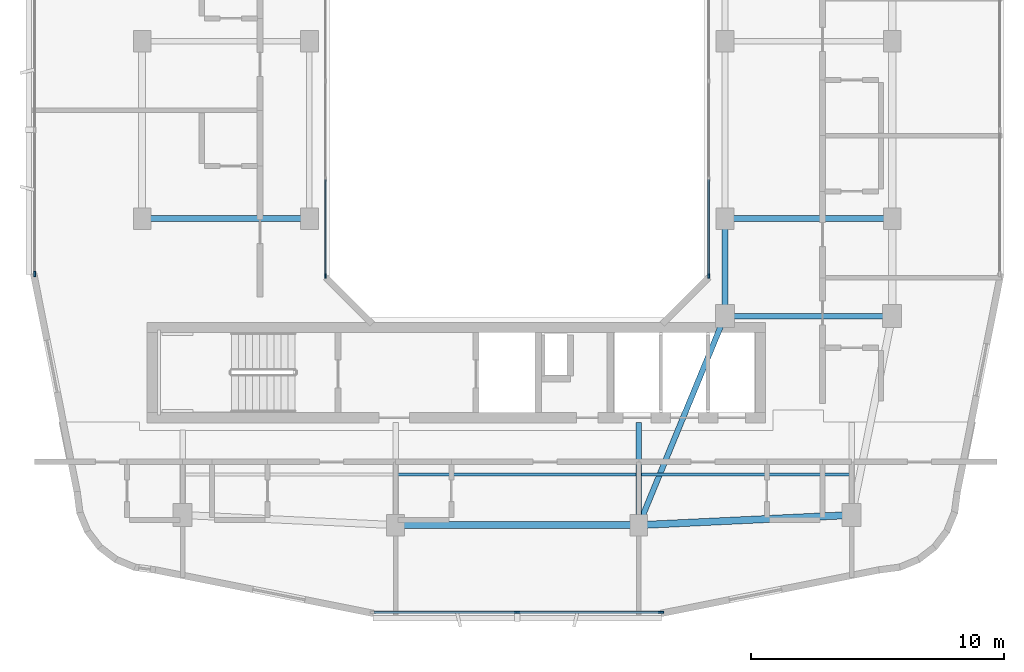
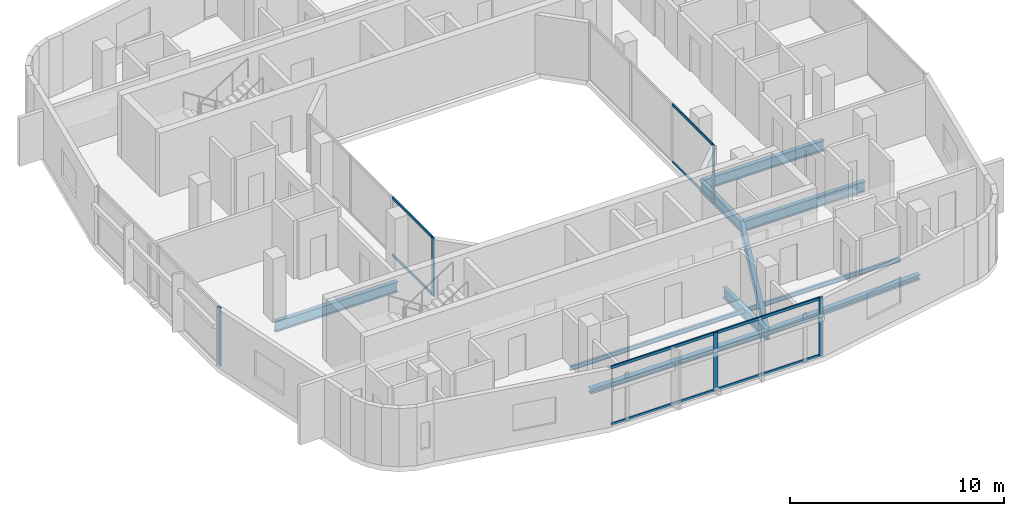
# One storey, part 2 of 14: 13 members, 10 beams, 4 elements without a shape of their own.
"""IFC4 building model written with IfcOpenShell, lengths in metres."""

import ifcopenshell
import ifcopenshell.guid

model = None  # the IFC model being written
_history = None  # IfcOwnerHistory: only IFC2X3 demands one
_inside = {}  # id of a spatial element -> (the spatial element, [elements in it])
_under = {}  # id of a project, library or spatial element -> (it, [spatial elements below it])
_declared = {}  # id of a project -> (the project, [libraries it declares])
_typed = {}  # id of a type object -> (the type object, [elements of that type])
_made_of = {}  # id of a material, layer set ... -> (it, [elements and type objects made of it])


def new_model(schema):
    """Start an empty IFC model of exactly this schema.

    Asked for "IFC4X3", IfcOpenShell would pick the latest addendum, in which some entities
    have other attributes; the version numbers below select the first issue.
    IFC2X3 requires an IfcOwnerHistory on every rooted entity: one is made here for all.
    """
    global model, _history
    if schema == "IFC4X3":
        model = ifcopenshell.file(schema_version=(4, 3, 0, 0))
    else:
        model = ifcopenshell.file(schema=schema)
    _inside.clear()
    _under.clear()
    _declared.clear()
    _typed.clear()
    _made_of.clear()
    _history = None
    if model.schema == "IFC2X3":
        org = make("IfcOrganization", Name="unknown")
        user = make(
            "IfcPersonAndOrganization",
            ThePerson=make("IfcPerson", FamilyName="unknown"),
            TheOrganization=org,
        )
        app = make(
            "IfcApplication",
            ApplicationDeveloper=org,
            Version="unknown",
            ApplicationFullName="unknown",
            ApplicationIdentifier="unknown",
        )
        _history = make(
            "IfcOwnerHistory",
            OwningUser=user,
            OwningApplication=app,
            ChangeAction="ADDED",
            CreationDate=0,
        )
    return model


def make(cls, **values):
    """One entity of the class cls with the attributes given. An attribute that is None is left unset."""
    return model.create_entity(
        cls, **{name: value for name, value in values.items() if value is not None}
    )


def rooted(cls, **values):
    """An entity with a GlobalId (a new one), such as an element, a storey or a relation."""
    return make(cls, GlobalId=ifcopenshell.guid.new(), OwnerHistory=_history, **values)


def si_unit(unit_type, name, prefix=None):
    """IfcSIUnit, for example si_unit("LENGTHUNIT", "METRE", prefix="MILLI")."""
    return make("IfcSIUnit", UnitType=unit_type, Prefix=prefix, Name=name)


def derived_unit(unit_type, elements):
    """IfcDerivedUnit: a product of units, each with its exponent."""
    return make(
        "IfcDerivedUnit",
        Elements=[
            make("IfcDerivedUnitElement", Unit=unit, Exponent=power)
            for unit, power in elements
        ],
        UnitType=unit_type,
    )


def assignment(units):
    """IfcUnitAssignment: the units of a project."""
    return None if units is None else make("IfcUnitAssignment", Units=units)


def point(xyz):
    """IfcCartesianPoint."""
    return None if xyz is None else make("IfcCartesianPoint", Coordinates=xyz)


def direction(xyz):
    """IfcDirection."""
    return None if xyz is None else make("IfcDirection", DirectionRatios=xyz)


def frame(location, z_axis=None, x_axis=None):
    """IfcAxis2Placement3D, a coordinate frame: its origin and axes. An axis left out is left unset."""
    return make(
        "IfcAxis2Placement3D",
        Location=point(location),
        Axis=direction(z_axis),
        RefDirection=direction(x_axis),
    )


def frame_2d(location, x_axis=None):
    """IfcAxis2Placement2D, a coordinate frame in the plane: its origin and x axis."""
    return make(
        "IfcAxis2Placement2D", Location=point(location), RefDirection=direction(x_axis)
    )


def origin():
    """The frame at (0, 0, 0) with its axes left unset."""
    return frame((0.0, 0.0, 0.0))


def origin_2d():
    """The frame at (0, 0) in the plane with its x axis left unset."""
    return frame_2d((0.0, 0.0))


def place(relative_to, where):
    """IfcLocalPlacement: puts the frame where relative to a parent placement (None: the world)."""
    return make(
        "IfcLocalPlacement", PlacementRelTo=relative_to, RelativePlacement=where
    )


def context(
    kind, dimensions, precision=None, world=None, true_north=None, identifier=None
):
    """IfcGeometricRepresentationContext, for example the 3D "Model" context."""
    return make(
        "IfcGeometricRepresentationContext",
        ContextIdentifier=identifier,
        ContextType=kind,
        CoordinateSpaceDimension=dimensions,
        Precision=precision,
        WorldCoordinateSystem=world,
        TrueNorth=true_north,
    )


def subcontext(parent, identifier, kind, view, scale=None):
    """IfcGeometricRepresentationSubContext, for example "Body" below "Model"."""
    return make(
        "IfcGeometricRepresentationSubContext",
        ContextIdentifier=identifier,
        ContextType=kind,
        ParentContext=parent,
        TargetScale=scale,
        TargetView=view,
    )


def project(units=None, contexts=None):
    """IfcProject with its units and contexts."""
    return rooted(
        "IfcProject",
        Name="project",
        RepresentationContexts=contexts,
        UnitsInContext=assignment(units),
    )


def spatial(cls, under=None, at=None, **own):
    """A site, building, storey or space (cls), placed at a placement, below another one or the project."""
    s = rooted(cls, ObjectPlacement=at, **own)
    if under is not None:
        _under.setdefault(under.id(), (under, []))[1].append(s)
    return s


def profile(cls, at=None, kind="AREA", **sizes):
    """A parametric profile (cls). Its sizes go by their IFC names, for example OverallWidth=200.0."""
    return make(cls, ProfileType=kind, Position=at, **sizes)


def rectangle(**sizes):
    """IfcRectangleProfileDef."""
    return profile("IfcRectangleProfileDef", **sizes)


def i_section(**sizes):
    """IfcIShapeProfileDef."""
    return profile("IfcIShapeProfileDef", **sizes)


def extrude(swept, where, along, depth):
    """IfcExtrudedAreaSolid: the profile swept, set in the frame where, extruded along a direction by depth."""
    return make(
        "IfcExtrudedAreaSolid",
        SweptArea=swept,
        Position=where,
        ExtrudedDirection=direction(along),
        Depth=depth,
    )


def shape(context_of_items, identifier, shape_type, items):
    """IfcShapeRepresentation: the items that make up one representation, for example the "Body"."""
    return make(
        "IfcShapeRepresentation",
        ContextOfItems=context_of_items,
        RepresentationIdentifier=identifier,
        RepresentationType=shape_type,
        Items=items,
    )


def material(Name=None, Category=None):
    """IfcMaterial."""
    return make("IfcMaterial", Name=Name, Category=Category)


def layer(
    of_material, thickness, ventilated=None, Name=None, Category=None, Priority=None
):
    """IfcMaterialLayer: one layer of a wall or slab, of a material (None: an air gap)."""
    return make(
        "IfcMaterialLayer",
        Material=of_material,
        LayerThickness=thickness,
        IsVentilated=ventilated,
        Name=Name,
        Category=Category,
        Priority=Priority,
    )


def layer_set(layers, Name=None):
    """IfcMaterialLayerSet."""
    return make("IfcMaterialLayerSet", MaterialLayers=layers, LayerSetName=Name)


def material_profile(
    of_material, cross_section, Name=None, Category=None, Priority=None
):
    """IfcMaterialProfile: a cross section and its material."""
    return make(
        "IfcMaterialProfile",
        Name=Name,
        Material=of_material,
        Profile=cross_section,
        Priority=Priority,
        Category=Category,
    )


def profile_set(profiles, Name=None, composite=None):
    """IfcMaterialProfileSet."""
    return make(
        "IfcMaterialProfileSet",
        Name=Name,
        MaterialProfiles=profiles,
        CompositeProfile=composite,
    )


def made_of(thing, what):
    """Note that an element or type object is made of a material, layer set ...; save() writes the relation."""
    if what is not None:
        _made_of.setdefault(what.id(), (what, []))[1].append(thing)
    return thing


def type_object(cls, material=None, **own):
    """A type object (cls), such as IfcWallType, which elements share."""
    return made_of(rooted(cls, **own), material)


def element(
    cls,
    number,
    at=None,
    inside=None,
    cuts=None,
    type_object=None,
    material=None,
    context=None,
    identifier="Body",
    shape_type=None,
    held_by="IfcProductDefinitionShape",
    body=None,
    shapes=None,
    **own,
):
    """One element of the class cls, such as IfcWall. Its Tag is "e" and its number.

    at: its placement. inside: the storey or other place that contains it. cuts: it is an
    opening in that element (IfcRelVoidsElement). A single representation is given by context,
    identifier, shape_type and body (its items); several are given by shapes. held_by: the class
    of the entity that holds the representations. save() writes the other relations.
    """
    e = rooted(cls, Tag="e%d" % number, ObjectPlacement=at, **own)
    if body is not None:
        shapes = [shape(context, identifier, shape_type, body)]
    if shapes is not None:
        e.Representation = make(held_by, Representations=shapes)
    if inside is not None:
        _inside.setdefault(inside.id(), (inside, []))[1].append(e)
    if cuts is not None:
        rooted(
            "IfcRelVoidsElement", RelatingBuildingElement=cuts, RelatedOpeningElement=e
        )
    if type_object is not None:
        _typed.setdefault(type_object.id(), (type_object, []))[1].append(e)
    return made_of(e, material)


def aggregate(whole, parts):
    """IfcRelAggregates: a whole, such as a stair, and the parts it consists of."""
    return rooted("IfcRelAggregates", RelatingObject=whole, RelatedObjects=parts)


def save(model, path):
    """Write the relations noted so far, then the file.

    IfcRelAggregates (storeys below a building ...), IfcRelContainedInSpatialStructure (elements
    in a storey), IfcRelDefinesByType, IfcRelAssociatesMaterial and IfcRelDeclares: one each for
    every whole, place, type object, material and project.
    """
    for whole, parts in _under.values():
        aggregate(whole, parts)
    for where, things in _inside.values():
        rooted(
            "IfcRelContainedInSpatialStructure",
            RelatedElements=things,
            RelatingStructure=where,
        )
    for kind, things in _typed.values():
        rooted("IfcRelDefinesByType", RelatedObjects=things, RelatingType=kind)
    for what, things in _made_of.values():
        rooted("IfcRelAssociatesMaterial", RelatedObjects=things, RelatingMaterial=what)
    for by, libraries in _declared.values():
        rooted("IfcRelDeclares", RelatingContext=by, RelatedDefinitions=libraries)
    model.write(path)


model = new_model("IFC4")

# Units and contexts
model_context = context("Model", 3, precision=1e-05, world=origin(), true_north=direction((0.0, 1.0)))
body_context = subcontext(model_context, "Body", "Model", "MODEL_VIEW")
ifc_project = project(units=[si_unit("LENGTHUNIT", "METRE"), si_unit("AREAUNIT", "SQUARE_METRE"), si_unit("VOLUMEUNIT", "CUBIC_METRE"), si_unit("PLANEANGLEUNIT", "RADIAN"), si_unit("MASSUNIT", "GRAM", prefix="KILO"), derived_unit("THERMALTRANSMITTANCEUNIT", [(si_unit("POWERUNIT", "WATT"), 1), (si_unit("LENGTHUNIT", "METRE"), -2), (si_unit("THERMODYNAMICTEMPERATUREUNIT", "KELVIN"), -1)])], contexts=[model_context])

# Site, building, storey
site_placement = place(None, origin())
site = spatial("IfcSite", under=ifc_project, at=site_placement, CompositionType="ELEMENT")
building_placement = place(site_placement, origin())
building = spatial("IfcBuilding", under=site, at=building_placement, Name="Kivonza Crest Hotel", CompositionType="ELEMENT")
storey_placement = place(building_placement, frame((0.0, 0.0, 227.89990234375)))
storey = spatial("IfcBuildingStorey", under=building, at=storey_placement, Name="L62", CompositionType="ELEMENT", Elevation=227.89990234375)

# Beams
ifc_material_1 = material(Name="Steel S355", Category="steel")
ifc_material_profile_1 = material_profile(ifc_material_1, i_section(OverallWidth=0.280029296875, OverallDepth=0.280029296875, WebThickness=0.010498046875, FlangeThickness=0.01806640625, FilletRadius=0.02392578125, at=origin_2d()), Name="HEB 280")
ifc_profile_set_1 = profile_set([ifc_material_profile_1], Name="Steel S355")
beam_type_1 = type_object("IfcBeamType", Name="BM-HEB280", PredefinedType="SPANDREL", material=ifc_profile_set_1)
beam_1_placement = place(storey_placement, frame((16.199951171875, 9.39990234375, -0.419921875), z_axis=(1.0, 0.0, 0.0), x_axis=(0.0, 1.0, 0.0)))
element("IfcBeam", 1, at=beam_1_placement, inside=storey, type_object=beam_type_1, Name="Tower T1 L62 perimeter spandrel S1-S2", PredefinedType="SPANDREL", context=body_context, shape_type="SweptSolid", body=[
    extrude(i_section(OverallWidth=0.280029296875, OverallDepth=0.280029296875, WebThickness=0.010498046875, FlangeThickness=0.01806640625, FilletRadius=0.02392578125, at=origin_2d()), origin(), (0.0, 0.0, 1.0), 9.60009765625),
])
beam_2_placement = place(storey_placement, frame((25.800048828125, 9.39990234375, -0.419921875), z_axis=(0.998867283688, 0.047583080799, 0.0), x_axis=(-0.047583080799, 0.998867283688, 0.0)))
element("IfcBeam", 2, at=beam_2_placement, inside=storey, type_object=beam_type_1, Name="Tower T1 L62 perimeter spandrel S2-SE", PredefinedType="SPANDREL", context=body_context, shape_type="SweptSolid", body=[
    extrude(i_section(OverallWidth=0.280029296875, OverallDepth=0.280029296875, WebThickness=0.010498046875, FlangeThickness=0.01806640625, FilletRadius=0.02392578125, at=origin_2d()), origin(), (0.0, 0.0, 1.0), 8.409423828125),
])
ifc_material_profile_2 = material_profile(ifc_material_1, i_section(OverallWidth=0.1201171875, OverallDepth=0.239990234375, WebThickness=0.006103515625, FlangeThickness=0.009765625, FilletRadius=0.014892578125, at=origin_2d()), Name="IPE 240")
ifc_profile_set_2 = profile_set([ifc_material_profile_2], Name="Steel S355")
beam_type_2 = type_object("IfcBeamType", Name="BM-IPE240", PredefinedType="JOIST", material=ifc_profile_set_2)
beam_3_placement = place(storey_placement, frame((16.280029296875, 11.39990234375, -0.39990234375), z_axis=(1.0, 0.0, 0.0), x_axis=(0.0, 1.0, 0.0)))
element("IfcBeam", 3, at=beam_3_placement, inside=storey, type_object=beam_type_2, Name="Tower T1 L62 South-Mid floor joist", PredefinedType="JOIST", context=body_context, shape_type="SweptSolid", body=[
    extrude(i_section(OverallWidth=0.1201171875, OverallDepth=0.239990234375, WebThickness=0.006103515625, FlangeThickness=0.009765625, FilletRadius=0.014892578125, at=origin_2d()), origin(), (0.0, 0.0, 1.0), 9.43994140625),
])
beam_4_placement = place(storey_placement, frame((25.8798828125, 11.39990234375, -0.39990234375), z_axis=(1.0, 0.0, 0.0), x_axis=(0.0, 1.0, 0.0)))
element("IfcBeam", 4, at=beam_4_placement, inside=storey, type_object=beam_type_2, Name="Tower T1 L62 South-East floor joist", PredefinedType="JOIST", context=body_context, shape_type="SweptSolid", body=[
    extrude(i_section(OverallWidth=0.1201171875, OverallDepth=0.239990234375, WebThickness=0.006103515625, FlangeThickness=0.009765625, FilletRadius=0.014892578125, at=origin_2d()), origin(), (0.0, 0.0, 1.0), 8.240234375),
])
ifc_material_profile_3 = material_profile(ifc_material_1, i_section(OverallWidth=0.219970703125, OverallDepth=0.60009765625, WebThickness=0.011962890625, FlangeThickness=0.01904296875, FilletRadius=0.02392578125, at=origin_2d()), Name="IPE 600")
ifc_profile_set_3 = profile_set([ifc_material_profile_3], Name="Steel S355")
beam_type_3 = type_object("IfcBeamType", Name="BM-IPE600", PredefinedType="BEAM", material=ifc_profile_set_3)
beam_5_placement = place(storey_placement, frame((6.199951171875, 21.5, -0.579833984375), z_axis=(1.0, 0.0, 0.0), x_axis=(0.0, 1.0, 0.0)))
element("IfcBeam", 5, at=beam_5_placement, inside=storey, type_object=beam_type_3, Name="Tower T1 L62 primary girder W1-WL1", PredefinedType="BEAM", context=body_context, shape_type="SweptSolid", body=[
    extrude(i_section(OverallWidth=0.219970703125, OverallDepth=0.60009765625, WebThickness=0.011962890625, FlangeThickness=0.01904296875, FilletRadius=0.02392578125, at=origin_2d()), origin(), (0.0, 0.0, 1.0), 6.60009765625),
])
beam_6_placement = place(storey_placement, frame((25.800048828125, 9.39990234375, -0.579833984375), z_axis=(0.381022260404, 0.924565864109, 0.0), x_axis=(-0.924565864109, 0.381022260404, 0.0)))
element("IfcBeam", 6, at=beam_6_placement, inside=storey, type_object=beam_type_3, Name="Tower T1 L62 primary girder S1-TSE", PredefinedType="BEAM", context=body_context, shape_type="SweptSolid", body=[
    extrude(i_section(OverallWidth=0.219970703125, OverallDepth=0.60009765625, WebThickness=0.011962890625, FlangeThickness=0.01904296875, FilletRadius=0.02392578125, at=origin_2d()), origin(), (0.0, 0.0, 1.0), 8.923095703125),
])
beam_7_placement = place(storey_placement, frame((29.199951171875, 17.64990234375, -0.579833984375), z_axis=(1.0, 0.0, 0.0), x_axis=(0.0, 1.0, 0.0)))
element("IfcBeam", 7, at=beam_7_placement, inside=storey, type_object=beam_type_3, Name="Tower T1 L62 primary girder TSE-PSE", PredefinedType="BEAM", context=body_context, shape_type="SweptSolid", body=[
    extrude(i_section(OverallWidth=0.219970703125, OverallDepth=0.60009765625, WebThickness=0.011962890625, FlangeThickness=0.01904296875, FilletRadius=0.02392578125, at=origin_2d()), origin(), (0.0, 0.0, 1.0), 6.60009765625),
])
beam_8_placement = place(storey_placement, frame((29.199951171875, 17.64990234375, -0.579833984375), z_axis=(0.0, 1.0, 0.0), x_axis=(-1.0, 0.0, 0.0)))
element("IfcBeam", 8, at=beam_8_placement, inside=storey, type_object=beam_type_3, Name="Tower T1 L62 primary girder TSE-WR1", PredefinedType="BEAM", context=body_context, shape_type="SweptSolid", body=[
    extrude(i_section(OverallWidth=0.219970703125, OverallDepth=0.60009765625, WebThickness=0.011962890625, FlangeThickness=0.01904296875, FilletRadius=0.02392578125, at=origin_2d()), origin(), (0.0, 0.0, 1.0), 3.85009765625),
])
beam_9_placement = place(storey_placement, frame((29.199951171875, 21.5, -0.579833984375), z_axis=(1.0, 0.0, 0.0), x_axis=(0.0, 1.0, 0.0)))
element("IfcBeam", 9, at=beam_9_placement, inside=storey, type_object=beam_type_3, Name="Tower T1 L62 primary girder WR1-E1", PredefinedType="BEAM", context=body_context, shape_type="SweptSolid", body=[
    extrude(i_section(OverallWidth=0.219970703125, OverallDepth=0.60009765625, WebThickness=0.011962890625, FlangeThickness=0.01904296875, FilletRadius=0.02392578125, at=origin_2d()), origin(), (0.0, 0.0, 1.0), 6.60009765625),
])
beam_10_placement = place(storey_placement, frame((25.800048828125, 9.39990234375, -0.579833984375), z_axis=(0.0, 1.0, 0.0), x_axis=(-1.0, 0.0, 0.0)))
element("IfcBeam", 10, at=beam_10_placement, inside=storey, type_object=beam_type_3, Name="Tower T1 L62 radial core girder RS2", PredefinedType="BEAM", context=body_context, shape_type="SweptSolid", body=[
    extrude(i_section(OverallWidth=0.219970703125, OverallDepth=0.60009765625, WebThickness=0.011962890625, FlangeThickness=0.01904296875, FilletRadius=0.02392578125, at=origin_2d()), origin(), (0.0, 0.0, 1.0), 4.050048828125),
])

# Curtain wall, member
ifc_material_2 = material(Name="Anodised bronze aluminium and low-E double glazing", Category="aluminium")
ifc_layer_1 = layer(ifc_material_2, 0.159912109375)
ifc_layer_set_1 = layer_set([ifc_layer_1], Name="Anodised bronze aluminium and low-E double glazing")
curtain_wall_type_1 = type_object("IfcCurtainWallType", Name="CW-SYS-5", PredefinedType="NOTDEFINED", material=ifc_layer_set_1)
curtain_wall_1_placement = place(storey_placement, origin())
curtain_wall_1 = element("IfcCurtainWall", 11, at=curtain_wall_1_placement, inside=storey, type_object=curtain_wall_type_1, Name="L62 unitised curtain wall CW-WELL-T1-L62-3", PredefinedType="NOTDEFINED")
ifc_material_3 = material(Name="Anodised bronze aluminium", Category="aluminium")
ifc_material_profile_4 = material_profile(ifc_material_3, rectangle(XDim=0.06494140625, YDim=0.179931640625, at=origin_2d()), Name="CW-M 65x180")
ifc_profile_set_4 = profile_set([ifc_material_profile_4], Name="Anodised bronze aluminium")
member_type_1 = type_object("IfcMemberType", Name="CW-MUL-65x180", PredefinedType="MULLION", material=ifc_profile_set_4)
member_1_placement = place(storey_placement, frame((28.56005859375, 19.232421875, 0.0), z_axis=(0.0, 0.0, 1.0), x_axis=(-1.0, 0.0, 0.0)))
member_1 = element("IfcMember", 12, at=member_1_placement, type_object=member_type_1, Name="CW-5 mullion 1", PredefinedType="MULLION", context=body_context, shape_type="SweptSolid", body=[
    extrude(rectangle(XDim=0.06494140625, YDim=0.179931640625, at=origin_2d()), origin(), (0.0, 0.0, 1.0), 3.320068359375),
])

curtain_wall_2_placement = place(storey_placement, origin())
curtain_wall_2 = element("IfcCurtainWall", 13, at=curtain_wall_2_placement, inside=storey, type_object=curtain_wall_type_1, Name="L62 unitised curtain wall CW-WELL-T1-L62-7", PredefinedType="NOTDEFINED")
member_2_placement = place(storey_placement, frame((13.43994140625, 19.232421875, 0.0), z_axis=(0.0, 0.0, 1.0), x_axis=(1.0, 0.0, 0.0)))
member_2 = element("IfcMember", 14, at=member_2_placement, type_object=member_type_1, Name="CW-5 mullion 4", PredefinedType="MULLION", context=body_context, shape_type="SweptSolid", body=[
    extrude(rectangle(XDim=0.06494140625, YDim=0.179931640625, at=origin_2d()), origin(), (0.0, 0.0, 1.0), 3.320068359375),
])

# Curtain wall, members
ifc_layer_2 = layer(ifc_material_2, 0.179931640625)
ifc_layer_set_2 = layer_set([ifc_layer_2], Name="Anodised bronze aluminium and low-E double glazing")
curtain_wall_type_2 = type_object("IfcCurtainWallType", Name="CW-SYS-3", PredefinedType="NOTDEFINED", material=ifc_layer_set_2)
curtain_wall_3_placement = place(storey_placement, origin())
curtain_wall_3 = element("IfcCurtainWall", 15, at=curtain_wall_3_placement, inside=storey, type_object=curtain_wall_type_2, Name="L62 unitised curtain wall CW-T1-L62-08", PredefinedType="NOTDEFINED")
ifc_material_profile_5 = material_profile(ifc_material_3, rectangle(XDim=0.074951171875, YDim=0.219970703125, at=origin_2d()), Name="CW-M 75x220")
ifc_profile_set_5 = profile_set([ifc_material_profile_5], Name="Anodised bronze aluminium")
member_type_2 = type_object("IfcMemberType", Name="CW-MUL-75x220", PredefinedType="MULLION", material=ifc_profile_set_5)
member_3_placement = place(storey_placement, frame((21.0, 5.9599609375, 0.0), z_axis=(0.0, 0.0, 1.0), x_axis=(0.0, 1.0, 0.0)))
member_3 = element("IfcMember", 16, at=member_3_placement, type_object=member_type_2, Name="CW-3 mullion 2", PredefinedType="MULLION", context=body_context, shape_type="SweptSolid", body=[
    extrude(rectangle(XDim=0.074951171875, YDim=0.219970703125, at=origin_2d()), origin(), (0.0, 0.0, 1.0), 3.320068359375),
])
member_4_placement = place(storey_placement, frame((26.6826171875, 5.9599609375, 0.0), z_axis=(0.0, 0.0, 1.0), x_axis=(0.0, 1.0, 0.0)))
member_4 = element("IfcMember", 17, at=member_4_placement, type_object=member_type_2, Name="CW-3 mullion 3", PredefinedType="MULLION", context=body_context, shape_type="SweptSolid", body=[
    extrude(rectangle(XDim=0.074951171875, YDim=0.219970703125, at=origin_2d()), origin(), (0.0, 0.0, 1.0), 3.320068359375),
])

# Curtain wall, member
curtain_wall_4_placement = place(storey_placement, origin())
curtain_wall_4 = element("IfcCurtainWall", 18, at=curtain_wall_4_placement, inside=storey, type_object=curtain_wall_type_2, Name="L62 unitised curtain wall CW-T1-L62-35", PredefinedType="NOTDEFINED")
member_5_placement = place(storey_placement, frame((1.9599609375, 19.3173828125, 0.0), z_axis=(0.0, 0.0, 1.0), x_axis=(1.0, 0.0, 0.0)))
member_5 = element("IfcMember", 19, at=member_5_placement, type_object=member_type_2, Name="CW-3 mullion 3", PredefinedType="MULLION", context=body_context, shape_type="SweptSolid", body=[
    extrude(rectangle(XDim=0.074951171875, YDim=0.219970703125, at=origin_2d()), origin(), (0.0, 0.0, 1.0), 3.320068359375),
])
aggregate(curtain_wall_4, [member_5])

# Member
ifc_material_profile_6 = material_profile(ifc_material_3, rectangle(XDim=0.06494140625, YDim=0.139892578125, at=origin_2d()), Name="CW-T 65x140")
ifc_profile_set_6 = profile_set([ifc_material_profile_6], Name="Anodised bronze aluminium")
member_type_3 = type_object("IfcMemberType", Name="CW-TRN-65x140", PredefinedType="USERDEFINED", material=ifc_profile_set_6)
member_6_placement = place(storey_placement, frame((28.56005859375, 19.264892578125, 0.03271484375), z_axis=(0.0, 1.0, 0.0), x_axis=(-1.0, 0.0, 0.0)))
member_6 = element("IfcMember", 20, at=member_6_placement, type_object=member_type_3, Name="CW-5 transom 1.1", ObjectType="TRANSOM", PredefinedType="USERDEFINED", context=body_context, shape_type="SweptSolid", body=[
    extrude(rectangle(XDim=0.06494140625, YDim=0.139892578125, at=origin_2d()), origin(), (0.0, 0.0, 1.0), 3.769287109375),
])

member_7_placement = place(storey_placement, frame((28.56005859375, 19.264892578125, 3.28759765625), z_axis=(0.0, 1.0, 0.0), x_axis=(-1.0, 0.0, 0.0)))
member_7 = element("IfcMember", 21, at=member_7_placement, type_object=member_type_3, Name="CW-5 transom 1.2", ObjectType="TRANSOM", PredefinedType="USERDEFINED", context=body_context, shape_type="SweptSolid", body=[
    extrude(rectangle(XDim=0.06494140625, YDim=0.139892578125, at=origin_2d()), origin(), (0.0, 0.0, 1.0), 3.769287109375),
])

aggregate(curtain_wall_1, [member_1, member_6, member_7])

member_8_placement = place(storey_placement, frame((13.43994140625, 23.0341796875, 0.03271484375), z_axis=(0.0, -1.0, 0.0), x_axis=(1.0, 0.0, 0.0)))
member_8 = element("IfcMember", 22, at=member_8_placement, type_object=member_type_3, Name="CW-5 transom 3.1", ObjectType="TRANSOM", PredefinedType="USERDEFINED", context=body_context, shape_type="SweptSolid", body=[
    extrude(rectangle(XDim=0.06494140625, YDim=0.139892578125, at=origin_2d()), origin(), (0.0, 0.0, 1.0), 3.769287109375),
])

member_9_placement = place(storey_placement, frame((13.43994140625, 23.0341796875, 3.28759765625), z_axis=(0.0, -1.0, 0.0), x_axis=(1.0, 0.0, 0.0)))
member_9 = element("IfcMember", 23, at=member_9_placement, type_object=member_type_3, Name="CW-5 transom 3.2", ObjectType="TRANSOM", PredefinedType="USERDEFINED", context=body_context, shape_type="SweptSolid", body=[
    extrude(rectangle(XDim=0.06494140625, YDim=0.139892578125, at=origin_2d()), origin(), (0.0, 0.0, 1.0), 3.769287109375),
])

aggregate(curtain_wall_2, [member_2, member_8, member_9])

ifc_material_profile_7 = material_profile(ifc_material_3, rectangle(XDim=0.074951171875, YDim=0.159912109375, at=origin_2d()), Name="CW-T 75x160")
ifc_profile_set_7 = profile_set([ifc_material_profile_7], Name="Anodised bronze aluminium")
member_type_4 = type_object("IfcMemberType", Name="CW-TRN-75x160", PredefinedType="USERDEFINED", material=ifc_profile_set_7)
member_10_placement = place(storey_placement, frame((15.35498046875, 5.9599609375, 0.03759765625), z_axis=(1.0, 0.0, 0.0), x_axis=(0.0, 1.0, 0.0)))
member_10 = element("IfcMember", 24, at=member_10_placement, type_object=member_type_4, Name="CW-3 transom 1.1", ObjectType="TRANSOM", PredefinedType="USERDEFINED", context=body_context, shape_type="SweptSolid", body=[
    extrude(rectangle(XDim=0.074951171875, YDim=0.159912109375, at=origin_2d()), origin(), (0.0, 0.0, 1.0), 5.607421875),
])

member_11_placement = place(storey_placement, frame((15.35498046875, 5.9599609375, 3.28271484375), z_axis=(1.0, 0.0, 0.0), x_axis=(0.0, 1.0, 0.0)))
member_11 = element("IfcMember", 25, at=member_11_placement, type_object=member_type_4, Name="CW-3 transom 1.2", ObjectType="TRANSOM", PredefinedType="USERDEFINED", context=body_context, shape_type="SweptSolid", body=[
    extrude(rectangle(XDim=0.074951171875, YDim=0.159912109375, at=origin_2d()), origin(), (0.0, 0.0, 1.0), 5.607421875),
])

member_12_placement = place(storey_placement, frame((21.03759765625, 5.9599609375, 0.03759765625), z_axis=(1.0, 0.0, 0.0), x_axis=(0.0, 1.0, 0.0)))
member_12 = element("IfcMember", 26, at=member_12_placement, type_object=member_type_4, Name="CW-3 transom 2.1", ObjectType="TRANSOM", PredefinedType="USERDEFINED", context=body_context, shape_type="SweptSolid", body=[
    extrude(rectangle(XDim=0.074951171875, YDim=0.159912109375, at=origin_2d()), origin(), (0.0, 0.0, 1.0), 5.607421875),
])

member_13_placement = place(storey_placement, frame((21.03759765625, 5.9599609375, 3.28271484375), z_axis=(1.0, 0.0, 0.0), x_axis=(0.0, 1.0, 0.0)))
member_13 = element("IfcMember", 27, at=member_13_placement, type_object=member_type_4, Name="CW-3 transom 2.2", ObjectType="TRANSOM", PredefinedType="USERDEFINED", context=body_context, shape_type="SweptSolid", body=[
    extrude(rectangle(XDim=0.074951171875, YDim=0.159912109375, at=origin_2d()), origin(), (0.0, 0.0, 1.0), 5.607421875),
])

aggregate(curtain_wall_3, [member_3, member_4, member_10, member_11, member_12, member_13])

save(model, "model.ifc")
